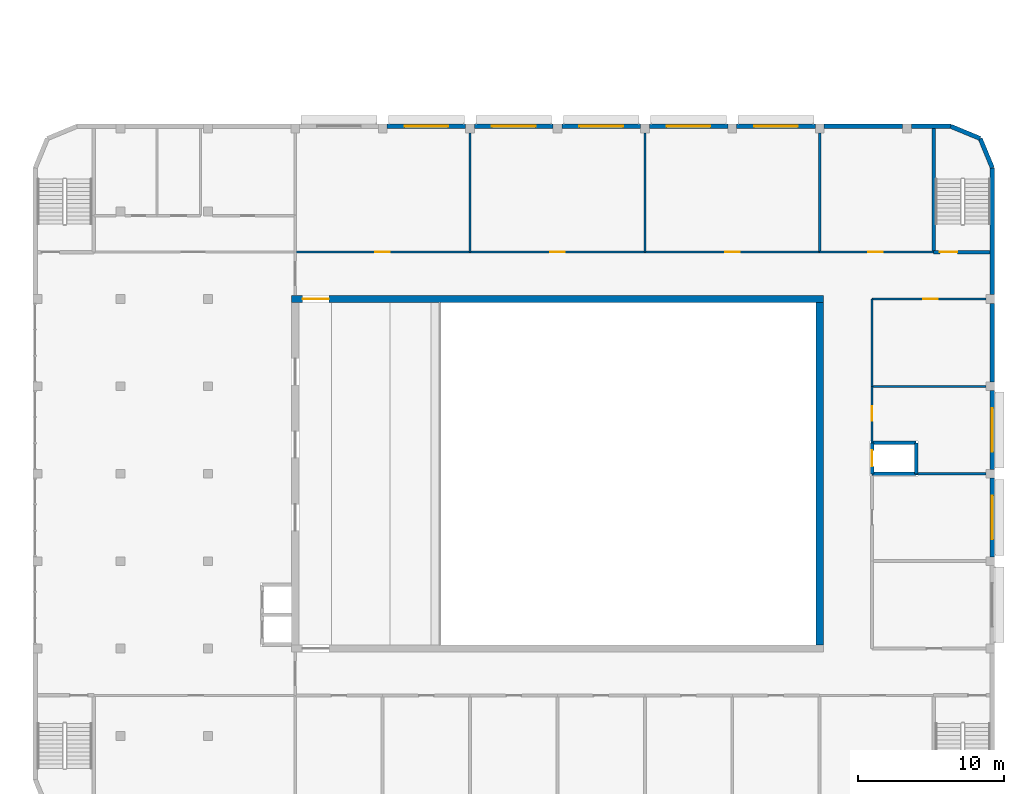
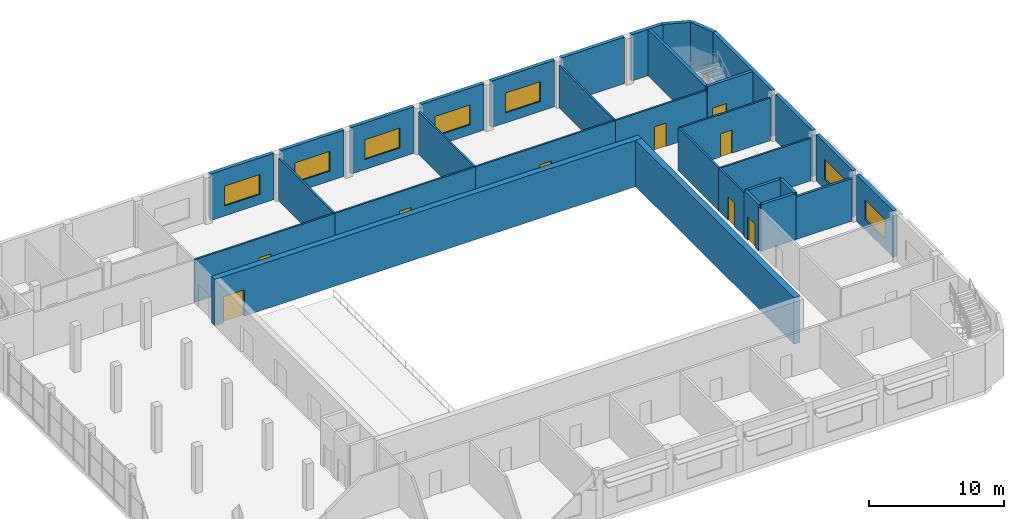
# One storey, part 24 of 45: 33 walls, 9 doors, 7 windows, 16 openings.
"""IFC4 building model written with IfcOpenShell, lengths in metres."""

from ifc_helpers import new_model, si_unit, direction, frame, frame_2d, origin, place, context, subcontext, project, spatial, rectangle, extrude, material, layer, layer_set, type_object, element, fill, save


model = new_model("IFC4")

# Units and contexts
model_context = context("Model", 3, precision=1e-05, world=origin(), true_north=direction((0.0, 1.0)))
body_context = subcontext(model_context, "Body", "Model", "MODEL_VIEW")
ifc_project = project(units=[si_unit("LENGTHUNIT", "METRE"), si_unit("AREAUNIT", "SQUARE_METRE"), si_unit("VOLUMEUNIT", "CUBIC_METRE"), si_unit("PLANEANGLEUNIT", "RADIAN"), si_unit("MASSUNIT", "GRAM", prefix="KILO")], contexts=[model_context])

# Site, building, storey
site_placement = place(None, origin())
site = spatial("IfcSite", under=ifc_project, at=site_placement, CompositionType="ELEMENT")
building_placement = place(site_placement, origin())
building = spatial("IfcBuilding", under=site, at=building_placement, Name="Nakaniwa Court", CompositionType="ELEMENT")
storey_placement = place(building_placement, frame((0.0, 0.0, 11.39990234375)))
storey = spatial("IfcBuildingStorey", under=building, at=storey_placement, Name="L02", CompositionType="ELEMENT", Elevation=11.39990234375)

# Wall
ifc_material_1 = material(Name="Double steel stud acoustic partition with mineral wool", Category="steel")
ifc_layer_1 = layer(ifc_material_1, 0.199951171875)
ifc_layer_set_1 = layer_set([ifc_layer_1], Name="Double steel stud acoustic partition with mineral wool")
wall_type_1 = type_object("IfcWallType", Name="Acoustic partition 200", PredefinedType="PARTITIONING", material=ifc_layer_set_1)
wall_1_placement = place(storey_placement, frame((212.625, 80.0, 0.0), z_axis=(0.0, 0.0, 1.0), x_axis=(1.0, 0.0, 0.0)))
element("IfcWall", 1, at=wall_1_placement, inside=storey, type_object=wall_type_1, Name="L02 partition wall 56", PredefinedType="PARTITIONING", context=body_context, shape_type="SweptSolid", body=[
    extrude(rectangle(XDim=4.77490234375, YDim=0.199951171875, at=frame_2d((2.387451171875, 0.0))), origin(), (0.0, 0.0, 1.0), 3.85009765625),
])

# Wall, opening, door
ifc_material_2 = material(Name="Concrete C50/60", Category="concrete")
ifc_layer_2 = layer(ifc_material_2, 0.5)
ifc_layer_set_2 = layer_set([ifc_layer_2], Name="Concrete C50/60")
wall_type_2 = type_object("IfcWallType", Name="Auditorium acoustic mass wall RC 500", PredefinedType="SHEAR", material=ifc_layer_set_2)
wall_2_placement = place(storey_placement, frame((169.75, 92.0, 0.0), z_axis=(0.0, 0.0, 1.0), x_axis=(1.0, 0.0, 0.0)))
wall_2 = element("IfcWall", 2, at=wall_2_placement, inside=storey, type_object=wall_type_2, Name="Auditorium north wall L02", PredefinedType="SHEAR", context=body_context, shape_type="SweptSolid", body=[
    extrude(rectangle(XDim=36.5, YDim=0.5, at=frame_2d((18.25, 0.0))), origin(), (0.0, 0.0, 1.0), 4.2001953125),
])
opening_1_placement = place(wall_2_placement, frame((0.75, 0.0, 0.0)))
opening_1 = element("IfcOpeningElement", 3, at=opening_1_placement, cuts=wall_2, Name="Opening HD-109", PredefinedType="OPENING", context=body_context, shape_type="SweptSolid", body=[
    extrude(rectangle(XDim=1.800048828125, YDim=2.39990234375, at=frame_2d((0.89990234375, 1.199951171875))), frame((0.0, 0.260009765625, 0.0), z_axis=(0.0, -1.0, 0.0), x_axis=(1.0, 0.0, 0.0)), (0.0, 0.0, 1.0), 0.52001953125),
])
ifc_material_3 = material(Name="Acoustic solid-core timber double leaf in steel frame", Category="steel")
door_type_1 = type_object("IfcDoorType", Name="Hall acoustic double door 1800x2400", OperationType="DOUBLE_DOOR_SINGLE_SWING", PredefinedType="DOOR", material=ifc_material_3)
door_1_placement = place(opening_1_placement, origin())
door_1 = element("IfcDoor", 4, at=door_1_placement, inside=storey, type_object=door_type_1, Name="L02 door side-N1", OperationType="DOUBLE_DOOR_SINGLE_SWING", OverallHeight=2.39990234375, OverallWidth=1.800048828125, PredefinedType="DOOR", context=body_context, shape_type="SweptSolid", body=[
    extrude(rectangle(XDim=1.800048828125, YDim=2.39990234375, at=frame_2d((0.89990234375, 1.199951171875))), frame((0.0, 0.02490234375, 0.0), z_axis=(0.0, -1.0, 0.0), x_axis=(1.0, 0.0, 0.0)), (0.0, 0.0, 1.0), 0.050048828125),
])
fill(opening_1, door_1)

# Wall
wall_3_placement = place(storey_placement, frame((206.0, 91.75, 0.0), z_axis=(0.0, 0.0, 1.0), x_axis=(0.0, -1.0, 0.0)))
element("IfcWall", 5, at=wall_3_placement, inside=storey, type_object=wall_type_2, Name="Auditorium east wall L02", PredefinedType="SHEAR", context=body_context, shape_type="SweptSolid", body=[
    extrude(rectangle(XDim=23.5, YDim=0.5, at=frame_2d((11.75, 0.0))), origin(), (0.0, 0.0, 1.0), 4.2001953125),
])

# Wall, opening, window
ifc_layer_3 = layer(ifc_material_2, 0.300048828125)
ifc_layer_set_3 = layer_set([ifc_layer_3], Name="Concrete C50/60")
wall_type_3 = type_object("IfcWallType", Name="Fair faced concrete wall 300", PredefinedType="SOLIDWALL", material=ifc_layer_set_3)
wall_4_placement = place(storey_placement, frame((176.300048828125, 103.85009765625, 0.0), z_axis=(0.0, 0.0, 1.0), x_axis=(1.0, 0.0, 0.0)))
wall_4 = element("IfcWall", 6, at=wall_4_placement, inside=storey, type_object=wall_type_3, Name="Facade wall L02 15", PredefinedType="SOLIDWALL", context=body_context, shape_type="SweptSolid", body=[
    extrude(rectangle(XDim=5.39990234375, YDim=0.300048828125, at=frame_2d((2.699951171875, 0.0))), origin(), (0.0, 0.0, 1.0), 4.2001953125),
])
opening_2_placement = place(wall_4_placement, frame((1.199951171875, 0.0, 0.89990234375)))
opening_2 = element("IfcOpeningElement", 7, at=opening_2_placement, cuts=wall_4, Name="Opening HWN-35", PredefinedType="OPENING", context=body_context, shape_type="SweptSolid", body=[
    extrude(rectangle(XDim=3.0, YDim=1.800048828125, at=frame_2d((1.5, 0.89990234375))), frame((0.0, 0.159912109375, 0.0), z_axis=(0.0, -1.0, 0.0), x_axis=(1.0, 0.0, 0.0)), (0.0, 0.0, 1.0), 0.320068359375),
])
ifc_material_4 = material(Name="Black powder-coated aluminium frame with dark glass", Category="aluminium")
window_type = type_object("IfcWindowType", Name="Hall window 3000x1800", PartitioningType="SINGLE_PANEL", PredefinedType="WINDOW", material=ifc_material_4)
window_1_placement = place(opening_2_placement, origin())
window_1 = element("IfcWindow", 8, at=window_1_placement, inside=storey, type_object=window_type, Name="Window L02:014", OverallHeight=1.800048828125, OverallWidth=3.0, PartitioningType="SINGLE_PANEL", PredefinedType="WINDOW", context=body_context, shape_type="SweptSolid", body=[
    extrude(rectangle(XDim=3.0, YDim=1.800048828125, at=frame_2d((1.5, 0.89990234375))), frame((0.0, 0.030029296875, 0.0), z_axis=(0.0, -1.0, 0.0), x_axis=(1.0, 0.0, 0.0)), (0.0, 0.0, 1.0), 0.06005859375),
])
fill(opening_2, window_1)

wall_5_placement = place(storey_placement, frame((182.300048828125, 103.85009765625, 0.0), z_axis=(0.0, 0.0, 1.0), x_axis=(1.0, 0.0, 0.0)))
wall_5 = element("IfcWall", 9, at=wall_5_placement, inside=storey, type_object=wall_type_3, Name="Facade wall L02 16", PredefinedType="SOLIDWALL", context=body_context, shape_type="SweptSolid", body=[
    extrude(rectangle(XDim=5.39990234375, YDim=0.300048828125, at=frame_2d((2.699951171875, 0.0))), origin(), (0.0, 0.0, 1.0), 4.2001953125),
])
opening_3_placement = place(wall_5_placement, frame((1.199951171875, 0.0, 0.89990234375)))
opening_3 = element("IfcOpeningElement", 10, at=opening_3_placement, cuts=wall_5, Name="Opening HWN-36", PredefinedType="OPENING", context=body_context, shape_type="SweptSolid", body=[
    extrude(rectangle(XDim=3.0, YDim=1.800048828125, at=frame_2d((1.5, 0.89990234375))), frame((0.0, 0.159912109375, 0.0), z_axis=(0.0, -1.0, 0.0), x_axis=(1.0, 0.0, 0.0)), (0.0, 0.0, 1.0), 0.320068359375),
])
window_2_placement = place(opening_3_placement, origin())
window_2 = element("IfcWindow", 11, at=window_2_placement, inside=storey, type_object=window_type, Name="Window L02:015", OverallHeight=1.800048828125, OverallWidth=3.0, PartitioningType="SINGLE_PANEL", PredefinedType="WINDOW", context=body_context, shape_type="SweptSolid", body=[
    extrude(rectangle(XDim=3.0, YDim=1.800048828125, at=frame_2d((1.5, 0.89990234375))), frame((0.0, 0.030029296875, 0.0), z_axis=(0.0, -1.0, 0.0), x_axis=(1.0, 0.0, 0.0)), (0.0, 0.0, 1.0), 0.06005859375),
])
fill(opening_3, window_2)

wall_6_placement = place(storey_placement, frame((188.300048828125, 103.85009765625, 0.0), z_axis=(0.0, 0.0, 1.0), x_axis=(1.0, 0.0, 0.0)))
wall_6 = element("IfcWall", 12, at=wall_6_placement, inside=storey, type_object=wall_type_3, Name="Facade wall L02 17", PredefinedType="SOLIDWALL", context=body_context, shape_type="SweptSolid", body=[
    extrude(rectangle(XDim=5.39990234375, YDim=0.300048828125, at=frame_2d((2.699951171875, 0.0))), origin(), (0.0, 0.0, 1.0), 4.2001953125),
])
opening_4_placement = place(wall_6_placement, frame((1.199951171875, 0.0, 0.89990234375)))
opening_4 = element("IfcOpeningElement", 13, at=opening_4_placement, cuts=wall_6, Name="Opening HWN-37", PredefinedType="OPENING", context=body_context, shape_type="SweptSolid", body=[
    extrude(rectangle(XDim=3.0, YDim=1.800048828125, at=frame_2d((1.5, 0.89990234375))), frame((0.0, 0.159912109375, 0.0), z_axis=(0.0, -1.0, 0.0), x_axis=(1.0, 0.0, 0.0)), (0.0, 0.0, 1.0), 0.320068359375),
])
window_3_placement = place(opening_4_placement, origin())
window_3 = element("IfcWindow", 14, at=window_3_placement, inside=storey, type_object=window_type, Name="Window L02:016", OverallHeight=1.800048828125, OverallWidth=3.0, PartitioningType="SINGLE_PANEL", PredefinedType="WINDOW", context=body_context, shape_type="SweptSolid", body=[
    extrude(rectangle(XDim=3.0, YDim=1.800048828125, at=frame_2d((1.5, 0.89990234375))), frame((0.0, 0.030029296875, 0.0), z_axis=(0.0, -1.0, 0.0), x_axis=(1.0, 0.0, 0.0)), (0.0, 0.0, 1.0), 0.06005859375),
])
fill(opening_4, window_3)

wall_7_placement = place(storey_placement, frame((194.300048828125, 103.85009765625, 0.0), z_axis=(0.0, 0.0, 1.0), x_axis=(1.0, 0.0, 0.0)))
wall_7 = element("IfcWall", 15, at=wall_7_placement, inside=storey, type_object=wall_type_3, Name="Facade wall L02 18", PredefinedType="SOLIDWALL", context=body_context, shape_type="SweptSolid", body=[
    extrude(rectangle(XDim=5.39990234375, YDim=0.300048828125, at=frame_2d((2.699951171875, 0.0))), origin(), (0.0, 0.0, 1.0), 4.2001953125),
])
opening_5_placement = place(wall_7_placement, frame((1.199951171875, 0.0, 0.89990234375)))
opening_5 = element("IfcOpeningElement", 16, at=opening_5_placement, cuts=wall_7, Name="Opening HWN-38", PredefinedType="OPENING", context=body_context, shape_type="SweptSolid", body=[
    extrude(rectangle(XDim=3.0, YDim=1.800048828125, at=frame_2d((1.5, 0.89990234375))), frame((0.0, 0.159912109375, 0.0), z_axis=(0.0, -1.0, 0.0), x_axis=(1.0, 0.0, 0.0)), (0.0, 0.0, 1.0), 0.320068359375),
])
window_4_placement = place(opening_5_placement, origin())
window_4 = element("IfcWindow", 17, at=window_4_placement, inside=storey, type_object=window_type, Name="Window L02:017", OverallHeight=1.800048828125, OverallWidth=3.0, PartitioningType="SINGLE_PANEL", PredefinedType="WINDOW", context=body_context, shape_type="SweptSolid", body=[
    extrude(rectangle(XDim=3.0, YDim=1.800048828125, at=frame_2d((1.5, 0.89990234375))), frame((0.0, 0.030029296875, 0.0), z_axis=(0.0, -1.0, 0.0), x_axis=(1.0, 0.0, 0.0)), (0.0, 0.0, 1.0), 0.06005859375),
])
fill(opening_5, window_4)

wall_8_placement = place(storey_placement, frame((200.300048828125, 103.85009765625, 0.0), z_axis=(0.0, 0.0, 1.0), x_axis=(1.0, 0.0, 0.0)))
wall_8 = element("IfcWall", 18, at=wall_8_placement, inside=storey, type_object=wall_type_3, Name="Facade wall L02 19", PredefinedType="SOLIDWALL", context=body_context, shape_type="SweptSolid", body=[
    extrude(rectangle(XDim=5.39990234375, YDim=0.300048828125, at=frame_2d((2.699951171875, 0.0))), origin(), (0.0, 0.0, 1.0), 4.2001953125),
])
opening_6_placement = place(wall_8_placement, frame((1.199951171875, 0.0, 0.89990234375)))
opening_6 = element("IfcOpeningElement", 19, at=opening_6_placement, cuts=wall_8, Name="Opening HWN-39", PredefinedType="OPENING", context=body_context, shape_type="SweptSolid", body=[
    extrude(rectangle(XDim=3.0, YDim=1.800048828125, at=frame_2d((1.5, 0.89990234375))), frame((0.0, 0.159912109375, 0.0), z_axis=(0.0, -1.0, 0.0), x_axis=(1.0, 0.0, 0.0)), (0.0, 0.0, 1.0), 0.320068359375),
])
window_5_placement = place(opening_6_placement, origin())
window_5 = element("IfcWindow", 20, at=window_5_placement, inside=storey, type_object=window_type, Name="Window L02:018", OverallHeight=1.800048828125, OverallWidth=3.0, PartitioningType="SINGLE_PANEL", PredefinedType="WINDOW", context=body_context, shape_type="SweptSolid", body=[
    extrude(rectangle(XDim=3.0, YDim=1.800048828125, at=frame_2d((1.5, 0.89990234375))), frame((0.0, 0.030029296875, 0.0), z_axis=(0.0, -1.0, 0.0), x_axis=(1.0, 0.0, 0.0)), (0.0, 0.0, 1.0), 0.06005859375),
])
fill(opening_6, window_5)

# Walls
wall_9_placement = place(storey_placement, frame((206.300048828125, 103.85009765625, 0.0), z_axis=(0.0, 0.0, 1.0), x_axis=(1.0, 0.0, 0.0)))
element("IfcWall", 21, at=wall_9_placement, inside=storey, type_object=wall_type_3, Name="Facade wall L02 20", PredefinedType="SOLIDWALL", context=body_context, shape_type="SweptSolid", body=[
    extrude(rectangle(XDim=5.39990234375, YDim=0.300048828125, at=frame_2d((2.699951171875, 0.0))), origin(), (0.0, 0.0, 1.0), 4.2001953125),
])
wall_10_placement = place(storey_placement, frame((212.300048828125, 103.85009765625, 0.0), z_axis=(0.0, 0.0, 1.0), x_axis=(1.0, 0.0, 0.0)))
element("IfcWall", 22, at=wall_10_placement, inside=storey, type_object=wall_type_3, Name="Facade wall L02 21", PredefinedType="SOLIDWALL", context=body_context, shape_type="SweptSolid", body=[
    extrude(rectangle(XDim=2.699951171875, YDim=0.300048828125, at=frame_2d((1.35009765625, 0.0))), origin(), (0.0, 0.0, 1.0), 4.2001953125),
])
for number, where, z_axis, x_axis, name in (
    (23, (215.0, 103.85009765625, 0.0), (0.0, 0.0, 1.0), (0.923892706888, -0.382651625058, 0.0), "Facade wall L02 22"),
    (24, (217.015380859375, 103.015380859375, 0.0), (0.0, 0.0, 1.0), (0.382651625058, -0.923892706888, 0.0), "Facade wall L02 23"),
):
    element("IfcWall", number, at=place(storey_placement, frame(where, z_axis=z_axis, x_axis=x_axis)), inside=storey, type_object=wall_type_3, Name=name, PredefinedType="SOLIDWALL", context=body_context, shape_type="SweptSolid", body=[
        extrude(rectangle(XDim=2.181396484375, YDim=0.300048828125, at=frame_2d((1.0908203125, 0.0))), origin(), (0.0, 0.0, 1.0), 4.2001953125),
    ])
wall_11_placement = place(storey_placement, frame((217.85009765625, 101.0, 0.0), z_axis=(0.0, 0.0, 1.0), x_axis=(0.0, -1.0, 0.0)))
element("IfcWall", 25, at=wall_11_placement, inside=storey, type_object=wall_type_3, Name="Facade wall L02 24", PredefinedType="SOLIDWALL", context=body_context, shape_type="SweptSolid", body=[
    extrude(rectangle(XDim=8.699951171875, YDim=0.300048828125, at=frame_2d((4.35009765625, 0.0))), origin(), (0.0, 0.0, 1.0), 4.2001953125),
])
wall_12_placement = place(storey_placement, frame((217.85009765625, 91.699951171875, 0.0), z_axis=(0.0, 0.0, 1.0), x_axis=(0.0, -1.0, 0.0)))
element("IfcWall", 26, at=wall_12_placement, inside=storey, type_object=wall_type_3, Name="Facade wall L02 25", PredefinedType="SOLIDWALL", context=body_context, shape_type="SweptSolid", body=[
    extrude(rectangle(XDim=5.39990234375, YDim=0.300048828125, at=frame_2d((2.699951171875, 0.0))), origin(), (0.0, 0.0, 1.0), 4.2001953125),
])

# Wall, opening, window
wall_13_placement = place(storey_placement, frame((217.85009765625, 85.699951171875, 0.0), z_axis=(0.0, 0.0, 1.0), x_axis=(0.0, -1.0, 0.0)))
wall_13 = element("IfcWall", 27, at=wall_13_placement, inside=storey, type_object=wall_type_3, Name="Facade wall L02 26", PredefinedType="SOLIDWALL", context=body_context, shape_type="SweptSolid", body=[
    extrude(rectangle(XDim=5.39990234375, YDim=0.300048828125, at=frame_2d((2.699951171875, 0.0))), origin(), (0.0, 0.0, 1.0), 4.2001953125),
])
opening_7_placement = place(wall_13_placement, frame((1.199951171875, 0.0, 0.89990234375)))
opening_7 = element("IfcOpeningElement", 28, at=opening_7_placement, cuts=wall_13, Name="Opening HWN-40", PredefinedType="OPENING", context=body_context, shape_type="SweptSolid", body=[
    extrude(rectangle(XDim=3.0, YDim=1.800048828125, at=frame_2d((1.5, 0.89990234375))), frame((0.0, 0.159912109375, 0.0), z_axis=(0.0, -1.0, 0.0), x_axis=(1.0, 0.0, 0.0)), (0.0, 0.0, 1.0), 0.320068359375),
])
window_6_placement = place(opening_7_placement, origin())
window_6 = element("IfcWindow", 29, at=window_6_placement, inside=storey, type_object=window_type, Name="Window L02:025", OverallHeight=1.800048828125, OverallWidth=3.0, PartitioningType="SINGLE_PANEL", PredefinedType="WINDOW", context=body_context, shape_type="SweptSolid", body=[
    extrude(rectangle(XDim=3.0, YDim=1.800048828125, at=frame_2d((1.5, 0.89990234375))), frame((0.0, 0.030029296875, 0.0), z_axis=(0.0, -1.0, 0.0), x_axis=(1.0, 0.0, 0.0)), (0.0, 0.0, 1.0), 0.06005859375),
])
fill(opening_7, window_6)

wall_14_placement = place(storey_placement, frame((217.85009765625, 79.699951171875, 0.0), z_axis=(0.0, 0.0, 1.0), x_axis=(0.0, -1.0, 0.0)))
wall_14 = element("IfcWall", 30, at=wall_14_placement, inside=storey, type_object=wall_type_3, Name="Facade wall L02 27", PredefinedType="SOLIDWALL", context=body_context, shape_type="SweptSolid", body=[
    extrude(rectangle(XDim=5.39990234375, YDim=0.300048828125, at=frame_2d((2.699951171875, 0.0))), origin(), (0.0, 0.0, 1.0), 4.2001953125),
])
opening_8_placement = place(wall_14_placement, frame((1.199951171875, 0.0, 0.89990234375)))
opening_8 = element("IfcOpeningElement", 31, at=opening_8_placement, cuts=wall_14, Name="Opening HWN-41", PredefinedType="OPENING", context=body_context, shape_type="SweptSolid", body=[
    extrude(rectangle(XDim=3.0, YDim=1.800048828125, at=frame_2d((1.5, 0.89990234375))), frame((0.0, 0.159912109375, 0.0), z_axis=(0.0, -1.0, 0.0), x_axis=(1.0, 0.0, 0.0)), (0.0, 0.0, 1.0), 0.320068359375),
])
window_7_placement = place(opening_8_placement, origin())
window_7 = element("IfcWindow", 32, at=window_7_placement, inside=storey, type_object=window_type, Name="Window L02:026", OverallHeight=1.800048828125, OverallWidth=3.0, PartitioningType="SINGLE_PANEL", PredefinedType="WINDOW", context=body_context, shape_type="SweptSolid", body=[
    extrude(rectangle(XDim=3.0, YDim=1.800048828125, at=frame_2d((1.5, 0.89990234375))), frame((0.0, 0.030029296875, 0.0), z_axis=(0.0, -1.0, 0.0), x_axis=(1.0, 0.0, 0.0)), (0.0, 0.0, 1.0), 0.06005859375),
])
fill(opening_8, window_7)

# Wall
ifc_material_5 = material(Name="Concrete C40/50", Category="concrete")
ifc_layer_4 = layer(ifc_material_5, 0.25)
ifc_layer_set_4 = layer_set([ifc_layer_4], Name="Concrete C40/50")
wall_type_4 = type_object("IfcWallType", Name="Fire isolated shaft wall RC 250", PredefinedType="SOLIDWALL", material=ifc_layer_set_4)
wall_15_placement = place(storey_placement, frame((209.60009765625, 80.0, 0.0), z_axis=(0.0, 0.0, 1.0), x_axis=(1.0, 0.0, 0.0)))
element("IfcWall", 33, at=wall_15_placement, inside=storey, type_object=wall_type_4, Name="L02 shaft wall 48", PredefinedType="SOLIDWALL", context=body_context, shape_type="SweptSolid", body=[
    extrude(rectangle(XDim=3.02490234375, YDim=0.25, at=frame_2d((1.512451171875, 0.0))), origin(), (0.0, 0.0, 1.0), 4.2001953125),
])

# Wall, opening, door
wall_16_placement = place(storey_placement, frame((209.60009765625, 82.125, 0.0), z_axis=(0.0, 0.0, 1.0), x_axis=(0.0, -1.0, 0.0)))
wall_16 = element("IfcWall", 34, at=wall_16_placement, inside=storey, type_object=wall_type_4, Name="L02 shaft wall 49", PredefinedType="SOLIDWALL", context=body_context, shape_type="SweptSolid", body=[
    extrude(rectangle(XDim=2.125, YDim=0.25, at=frame_2d((1.0625, 0.0))), origin(), (0.0, 0.0, 1.0), 4.2001953125),
])
opening_9_placement = place(wall_16_placement, frame((0.52490234375, 0.0, 0.0)))
opening_9 = element("IfcOpeningElement", 35, at=opening_9_placement, cuts=wall_16, Name="Opening LD-03", PredefinedType="OPENING", context=body_context, shape_type="SweptSolid", body=[
    extrude(rectangle(XDim=1.10009765625, YDim=2.10009765625, at=frame_2d((0.550048828125, 1.050048828125))), frame((0.0, 0.135009765625, 0.0), z_axis=(0.0, -1.0, 0.0), x_axis=(1.0, 0.0, 0.0)), (0.0, 0.0, 1.0), 0.27001953125),
])
ifc_material_6 = material(Name="Brushed stainless steel sliding landing door", Category="steel")
door_type_2 = type_object("IfcDoorType", Name="Hall lift landing door 1100x2100", OperationType="SLIDING_TO_LEFT", PredefinedType="DOOR", material=ifc_material_6)
door_2_placement = place(opening_9_placement, origin())
door_2 = element("IfcDoor", 36, at=door_2_placement, inside=storey, type_object=door_type_2, Name="L02 lift landing door HL3", OperationType="SLIDING_TO_LEFT", OverallHeight=2.10009765625, OverallWidth=1.10009765625, PredefinedType="DOOR", context=body_context, shape_type="SweptSolid", body=[
    extrude(rectangle(XDim=1.10009765625, YDim=2.10009765625, at=frame_2d((0.550048828125, 1.050048828125))), frame((0.0, 0.02490234375, 0.0), z_axis=(0.0, -1.0, 0.0), x_axis=(1.0, 0.0, 0.0)), (0.0, 0.0, 1.0), 0.050048828125),
])
fill(opening_9, door_2)

# Walls
wall_17_placement = place(storey_placement, frame((212.625, 80.0, 0.0), z_axis=(0.0, 0.0, 1.0), x_axis=(0.0, 1.0, 0.0)))
element("IfcWall", 37, at=wall_17_placement, inside=storey, type_object=wall_type_4, Name="L02 shaft wall 50", PredefinedType="SOLIDWALL", context=body_context, shape_type="SweptSolid", body=[
    extrude(rectangle(XDim=2.125, YDim=0.25, at=frame_2d((1.0625, 0.0))), origin(), (0.0, 0.0, 1.0), 4.2001953125),
])
wall_18_placement = place(storey_placement, frame((212.625, 82.125, 0.0), z_axis=(0.0, 0.0, 1.0), x_axis=(-1.0, 0.0, 0.0)))
element("IfcWall", 38, at=wall_18_placement, inside=storey, type_object=wall_type_4, Name="L02 shaft wall 51", PredefinedType="SOLIDWALL", context=body_context, shape_type="SweptSolid", body=[
    extrude(rectangle(XDim=3.02490234375, YDim=0.25, at=frame_2d((1.512451171875, 0.0))), origin(), (0.0, 0.0, 1.0), 4.2001953125),
])

# Wall, opening, door
wall_19_placement = place(storey_placement, frame((213.824951171875, 95.215087890625, 0.0), z_axis=(0.0, 0.0, 1.0), x_axis=(1.0, 0.0, 0.0)))
wall_19 = element("IfcWall", 39, at=wall_19_placement, inside=storey, type_object=wall_type_4, Name="L02 shaft wall 59", PredefinedType="SOLIDWALL", context=body_context, shape_type="SweptSolid", body=[
    extrude(rectangle(XDim=3.875, YDim=0.25, at=frame_2d((1.9375, 0.0))), origin(), (0.0, 0.0, 1.0), 4.2001953125),
])
opening_10_placement = place(wall_19_placement, frame((0.425048828125, 0.0, 0.0)))
opening_10 = element("IfcOpeningElement", 40, at=opening_10_placement, cuts=wall_19, Name="Opening HD-104", PredefinedType="OPENING", context=body_context, shape_type="SweptSolid", body=[
    extrude(rectangle(XDim=1.199951171875, YDim=2.10009765625, at=frame_2d((0.60009765625, 1.050048828125))), frame((0.0, 0.135009765625, 0.0), z_axis=(0.0, -1.0, 0.0), x_axis=(1.0, 0.0, 0.0)), (0.0, 0.0, 1.0), 0.27001953125),
])
ifc_material_7 = material(Name="Insulated steel door leaf in steel frame", Category="steel")
door_type_3 = type_object("IfcDoorType", Name="Hall stair door 1200x2100", OperationType="SINGLE_SWING_LEFT", PredefinedType="DOOR", material=ifc_material_7)
door_3_placement = place(opening_10_placement, origin())
door_3 = element("IfcDoor", 41, at=door_3_placement, inside=storey, type_object=door_type_3, Name="L02 door Exit-stair-H4", OperationType="SINGLE_SWING_RIGHT", OverallHeight=2.10009765625, OverallWidth=1.199951171875, PredefinedType="DOOR", context=body_context, shape_type="SweptSolid", body=[
    extrude(rectangle(XDim=1.199951171875, YDim=2.10009765625, at=frame_2d((0.60009765625, 1.050048828125))), frame((0.0, 0.02490234375, 0.0), z_axis=(0.0, -1.0, 0.0), x_axis=(1.0, 0.0, 0.0)), (0.0, 0.0, 1.0), 0.050048828125),
])
fill(opening_10, door_3)

# Wall
wall_20_placement = place(storey_placement, frame((213.824951171875, 95.215087890625, 0.0), z_axis=(0.0, 0.0, 1.0), x_axis=(0.0, 1.0, 0.0)))
element("IfcWall", 42, at=wall_20_placement, inside=storey, type_object=wall_type_4, Name="L02 shaft wall 60", PredefinedType="SOLIDWALL", context=body_context, shape_type="SweptSolid", body=[
    extrude(rectangle(XDim=8.48486328125, YDim=0.25, at=frame_2d((4.242431640625, 0.0))), origin(), (0.0, 0.0, 1.0), 4.2001953125),
])

# Wall, opening, door
ifc_material_8 = material(Name="Steel stud plasterboard partition", Category="steel")
ifc_layer_5 = layer(ifc_material_8, 0.14990234375)
ifc_layer_set_5 = layer_set([ifc_layer_5], Name="Steel stud plasterboard partition")
wall_type_5 = type_object("IfcWallType", Name="Partition 150", PredefinedType="PARTITIONING", material=ifc_layer_set_5)
wall_21_placement = place(storey_placement, frame((170.0, 95.215087890625, 0.0), z_axis=(0.0, 0.0, 1.0), x_axis=(1.0, 0.0, 0.0)))
wall_21 = element("IfcWall", 43, at=wall_21_placement, inside=storey, type_object=wall_type_5, Name="L02 partition wall 23", PredefinedType="PARTITIONING", context=body_context, shape_type="SweptSolid", body=[
    extrude(rectangle(XDim=12.0, YDim=0.14990234375, at=frame_2d((6.0, 0.0))), origin(), (0.0, 0.0, 1.0), 3.85009765625),
])
opening_11_placement = place(wall_21_placement, frame((5.5, 0.0, 0.0)))
opening_11 = element("IfcOpeningElement", 44, at=opening_11_placement, cuts=wall_21, Name="Opening HD-89", PredefinedType="OPENING", context=body_context, shape_type="SweptSolid", body=[
    extrude(rectangle(XDim=1.0, YDim=2.10009765625, at=frame_2d((0.5, 1.050048828125))), frame((0.0, 0.0849609375, 0.0), z_axis=(0.0, -1.0, 0.0), x_axis=(1.0, 0.0, 0.0)), (0.0, 0.0, 1.0), 0.169921875),
])
ifc_material_9 = material(Name="Solid-core timber door leaf in steel frame", Category="steel")
door_type_4 = type_object("IfcDoorType", Name="Hall door 1000x2100", OperationType="SINGLE_SWING_LEFT", PredefinedType="DOOR", material=ifc_material_9)
door_4_placement = place(opening_11_placement, origin())
door_4 = element("IfcDoor", 45, at=door_4_placement, inside=storey, type_object=door_type_4, Name="L02 door Education-room", OperationType="SINGLE_SWING_RIGHT", OverallHeight=2.10009765625, OverallWidth=1.0, PredefinedType="DOOR", context=body_context, shape_type="SweptSolid", body=[
    extrude(rectangle(XDim=1.0, YDim=2.10009765625, at=frame_2d((0.5, 1.050048828125))), frame((0.0, 0.02490234375, 0.0), z_axis=(0.0, -1.0, 0.0), x_axis=(1.0, 0.0, 0.0)), (0.0, 0.0, 1.0), 0.050048828125),
])
fill(opening_11, door_4)

wall_22_placement = place(storey_placement, frame((182.0, 95.215087890625, 0.0), z_axis=(0.0, 0.0, 1.0), x_axis=(1.0, 0.0, 0.0)))
wall_22 = element("IfcWall", 46, at=wall_22_placement, inside=storey, type_object=wall_type_5, Name="L02 partition wall 30", PredefinedType="PARTITIONING", context=body_context, shape_type="SweptSolid", body=[
    extrude(rectangle(XDim=12.0, YDim=0.14990234375, at=frame_2d((6.0, 0.0))), origin(), (0.0, 0.0, 1.0), 3.85009765625),
])
opening_12_placement = place(wall_22_placement, frame((5.5, 0.0, 0.0)))
opening_12 = element("IfcOpeningElement", 47, at=opening_12_placement, cuts=wall_22, Name="Opening HD-92", PredefinedType="OPENING", context=body_context, shape_type="SweptSolid", body=[
    extrude(rectangle(XDim=1.0, YDim=2.10009765625, at=frame_2d((0.5, 1.050048828125))), frame((0.0, 0.0849609375, 0.0), z_axis=(0.0, -1.0, 0.0), x_axis=(1.0, 0.0, 0.0)), (0.0, 0.0, 1.0), 0.169921875),
])
door_5_placement = place(opening_12_placement, origin())
door_5 = element("IfcDoor", 48, at=door_5_placement, inside=storey, type_object=door_type_4, Name="L02 door Music-library", OperationType="SINGLE_SWING_LEFT", OverallHeight=2.10009765625, OverallWidth=1.0, PredefinedType="DOOR", context=body_context, shape_type="SweptSolid", body=[
    extrude(rectangle(XDim=1.0, YDim=2.10009765625, at=frame_2d((0.5, 1.050048828125))), frame((0.0, 0.02490234375, 0.0), z_axis=(0.0, -1.0, 0.0), x_axis=(1.0, 0.0, 0.0)), (0.0, 0.0, 1.0), 0.050048828125),
])
fill(opening_12, door_5)

# Wall
wall_23_placement = place(storey_placement, frame((182.0, 103.39990234375, 0.0), z_axis=(0.0, 0.0, 1.0), x_axis=(0.0, -1.0, 0.0)))
element("IfcWall", 49, at=wall_23_placement, inside=storey, type_object=wall_type_5, Name="L02 partition wall 31", PredefinedType="PARTITIONING", context=body_context, shape_type="SweptSolid", body=[
    extrude(rectangle(XDim=8.184814453125, YDim=0.14990234375, at=frame_2d((4.09228515625, 0.0))), origin(), (0.0, 0.0, 1.0), 3.85009765625),
])

# Wall, opening, door
wall_24_placement = place(storey_placement, frame((194.0, 95.215087890625, 0.0), z_axis=(0.0, 0.0, 1.0), x_axis=(1.0, 0.0, 0.0)))
wall_24 = element("IfcWall", 50, at=wall_24_placement, inside=storey, type_object=wall_type_5, Name="L02 partition wall 36", PredefinedType="PARTITIONING", context=body_context, shape_type="SweptSolid", body=[
    extrude(rectangle(XDim=12.0, YDim=0.14990234375, at=frame_2d((6.0, 0.0))), origin(), (0.0, 0.0, 1.0), 3.85009765625),
])
opening_13_placement = place(wall_24_placement, frame((5.5, 0.0, 0.0)))
opening_13 = element("IfcOpeningElement", 51, at=opening_13_placement, cuts=wall_24, Name="Opening HD-95", PredefinedType="OPENING", context=body_context, shape_type="SweptSolid", body=[
    extrude(rectangle(XDim=1.0, YDim=2.10009765625, at=frame_2d((0.5, 1.050048828125))), frame((0.0, 0.0849609375, 0.0), z_axis=(0.0, -1.0, 0.0), x_axis=(1.0, 0.0, 0.0)), (0.0, 0.0, 1.0), 0.169921875),
])
door_6_placement = place(opening_13_placement, origin())
door_6 = element("IfcDoor", 52, at=door_6_placement, inside=storey, type_object=door_type_4, Name="L02 door Meeting-room", OperationType="SINGLE_SWING_RIGHT", OverallHeight=2.10009765625, OverallWidth=1.0, PredefinedType="DOOR", context=body_context, shape_type="SweptSolid", body=[
    extrude(rectangle(XDim=1.0, YDim=2.10009765625, at=frame_2d((0.5, 1.050048828125))), frame((0.0, 0.02490234375, 0.0), z_axis=(0.0, -1.0, 0.0), x_axis=(1.0, 0.0, 0.0)), (0.0, 0.0, 1.0), 0.050048828125),
])
fill(opening_13, door_6)

# Wall
wall_25_placement = place(storey_placement, frame((194.0, 103.39990234375, 0.0), z_axis=(0.0, 0.0, 1.0), x_axis=(0.0, -1.0, 0.0)))
element("IfcWall", 53, at=wall_25_placement, inside=storey, type_object=wall_type_5, Name="L02 partition wall 37", PredefinedType="PARTITIONING", context=body_context, shape_type="SweptSolid", body=[
    extrude(rectangle(XDim=8.184814453125, YDim=0.14990234375, at=frame_2d((4.09228515625, 0.0))), origin(), (0.0, 0.0, 1.0), 3.85009765625),
])

# Wall, opening, door
wall_26_placement = place(storey_placement, frame((206.0, 95.215087890625, 0.0), z_axis=(0.0, 0.0, 1.0), x_axis=(1.0, 0.0, 0.0)))
wall_26 = element("IfcWall", 54, at=wall_26_placement, inside=storey, type_object=wall_type_5, Name="L02 partition wall 42", PredefinedType="PARTITIONING", context=body_context, shape_type="SweptSolid", body=[
    extrude(rectangle(XDim=7.824951171875, YDim=0.14990234375, at=frame_2d((3.91259765625, 0.0))), origin(), (0.0, 0.0, 1.0), 3.85009765625),
])
opening_14_placement = place(wall_26_placement, frame((3.324951171875, 0.0, 0.0)))
opening_14 = element("IfcOpeningElement", 55, at=opening_14_placement, cuts=wall_26, Name="Opening HD-98", PredefinedType="OPENING", context=body_context, shape_type="SweptSolid", body=[
    extrude(rectangle(XDim=1.0, YDim=2.10009765625, at=frame_2d((0.5, 1.050048828125))), frame((0.0, 0.0849609375, 0.0), z_axis=(0.0, -1.0, 0.0), x_axis=(1.0, 0.0, 0.0)), (0.0, 0.0, 1.0), 0.169921875),
])
door_7_placement = place(opening_14_placement, origin())
door_7 = element("IfcDoor", 56, at=door_7_placement, inside=storey, type_object=door_type_4, Name="L02 door Archive-and-records-room", OperationType="SINGLE_SWING_LEFT", OverallHeight=2.10009765625, OverallWidth=1.0, PredefinedType="DOOR", context=body_context, shape_type="SweptSolid", body=[
    extrude(rectangle(XDim=1.0, YDim=2.10009765625, at=frame_2d((0.5, 1.050048828125))), frame((0.0, 0.02490234375, 0.0), z_axis=(0.0, -1.0, 0.0), x_axis=(1.0, 0.0, 0.0)), (0.0, 0.0, 1.0), 0.050048828125),
])
fill(opening_14, door_7)

# Wall
wall_27_placement = place(storey_placement, frame((206.0, 103.39990234375, 0.0), z_axis=(0.0, 0.0, 1.0), x_axis=(0.0, -1.0, 0.0)))
element("IfcWall", 57, at=wall_27_placement, inside=storey, type_object=wall_type_5, Name="L02 partition wall 43", PredefinedType="PARTITIONING", context=body_context, shape_type="SweptSolid", body=[
    extrude(rectangle(XDim=8.184814453125, YDim=0.14990234375, at=frame_2d((4.09228515625, 0.0))), origin(), (0.0, 0.0, 1.0), 3.85009765625),
])

# Wall, opening, door
wall_28_placement = place(storey_placement, frame((209.60009765625, 86.0, 0.0), z_axis=(0.0, 0.0, 1.0), x_axis=(0.0, -1.0, 0.0)))
wall_28 = element("IfcWall", 58, at=wall_28_placement, inside=storey, type_object=wall_type_5, Name="L02 partition wall 52", PredefinedType="PARTITIONING", context=body_context, shape_type="SweptSolid", body=[
    extrude(rectangle(XDim=3.875, YDim=0.14990234375, at=frame_2d((1.9375, 0.0))), origin(), (0.0, 0.0, 1.0), 3.85009765625),
])
opening_15_placement = place(wall_28_placement, frame((1.375, 0.0, 0.0)))
opening_15 = element("IfcOpeningElement", 59, at=opening_15_placement, cuts=wall_28, Name="Opening HD-101", PredefinedType="OPENING", context=body_context, shape_type="SweptSolid", body=[
    extrude(rectangle(XDim=1.0, YDim=2.10009765625, at=frame_2d((0.5, 1.050048828125))), frame((0.0, 0.0849609375, 0.0), z_axis=(0.0, -1.0, 0.0), x_axis=(1.0, 0.0, 0.0)), (0.0, 0.0, 1.0), 0.169921875),
])
door_8_placement = place(opening_15_placement, origin())
door_8 = element("IfcDoor", 60, at=door_8_placement, inside=storey, type_object=door_type_4, Name="L02 door Choir-robing-room", OperationType="SINGLE_SWING_RIGHT", OverallHeight=2.10009765625, OverallWidth=1.0, PredefinedType="DOOR", context=body_context, shape_type="SweptSolid", body=[
    extrude(rectangle(XDim=1.0, YDim=2.10009765625, at=frame_2d((0.5, 1.050048828125))), frame((0.0, 0.02490234375, 0.0), z_axis=(0.0, -1.0, 0.0), x_axis=(1.0, 0.0, 0.0)), (0.0, 0.0, 1.0), 0.050048828125),
])
fill(opening_15, door_8)

# Wall
wall_29_placement = place(storey_placement, frame((209.60009765625, 86.0, 0.0), z_axis=(0.0, 0.0, 1.0), x_axis=(1.0, 0.0, 0.0)))
element("IfcWall", 61, at=wall_29_placement, inside=storey, type_object=wall_type_5, Name="L02 partition wall 53", PredefinedType="PARTITIONING", context=body_context, shape_type="SweptSolid", body=[
    extrude(rectangle(XDim=7.7998046875, YDim=0.14990234375, at=frame_2d((3.89990234375, 0.0))), origin(), (0.0, 0.0, 1.0), 3.85009765625),
])

# Wall, opening, door
wall_30_placement = place(storey_placement, frame((217.39990234375, 92.0, 0.0), z_axis=(0.0, 0.0, 1.0), x_axis=(-1.0, 0.0, 0.0)))
wall_30 = element("IfcWall", 62, at=wall_30_placement, inside=storey, type_object=wall_type_5, Name="L02 partition wall 54", PredefinedType="PARTITIONING", context=body_context, shape_type="SweptSolid", body=[
    extrude(rectangle(XDim=7.7998046875, YDim=0.14990234375, at=frame_2d((3.89990234375, 0.0))), origin(), (0.0, 0.0, 1.0), 3.85009765625),
])
opening_16_placement = place(wall_30_placement, frame((3.300048828125, 0.0, 0.0)))
opening_16 = element("IfcOpeningElement", 63, at=opening_16_placement, cuts=wall_30, Name="Opening HD-102", PredefinedType="OPENING", context=body_context, shape_type="SweptSolid", body=[
    extrude(rectangle(XDim=1.0, YDim=2.10009765625, at=frame_2d((0.5, 1.050048828125))), frame((0.0, 0.0849609375, 0.0), z_axis=(0.0, -1.0, 0.0), x_axis=(1.0, 0.0, 0.0)), (0.0, 0.0, 1.0), 0.169921875),
])
door_9_placement = place(opening_16_placement, origin())
door_9 = element("IfcDoor", 64, at=door_9_placement, inside=storey, type_object=door_type_4, Name="L02 door Percussion-store", OperationType="SINGLE_SWING_LEFT", OverallHeight=2.10009765625, OverallWidth=1.0, PredefinedType="DOOR", context=body_context, shape_type="SweptSolid", body=[
    extrude(rectangle(XDim=1.0, YDim=2.10009765625, at=frame_2d((0.5, 1.050048828125))), frame((0.0, 0.02490234375, 0.0), z_axis=(0.0, -1.0, 0.0), x_axis=(1.0, 0.0, 0.0)), (0.0, 0.0, 1.0), 0.050048828125),
])
fill(opening_16, door_9)

# Wall
wall_31_placement = place(storey_placement, frame((209.60009765625, 92.0, 0.0), z_axis=(0.0, 0.0, 1.0), x_axis=(0.0, -1.0, 0.0)))
element("IfcWall", 65, at=wall_31_placement, inside=storey, type_object=wall_type_5, Name="L02 partition wall 55", PredefinedType="PARTITIONING", context=body_context, shape_type="SweptSolid", body=[
    extrude(rectangle(XDim=6.0, YDim=0.14990234375, at=frame_2d((3.0, 0.0))), origin(), (0.0, 0.0, 1.0), 3.85009765625),
])

save(model, "model.ifc")
